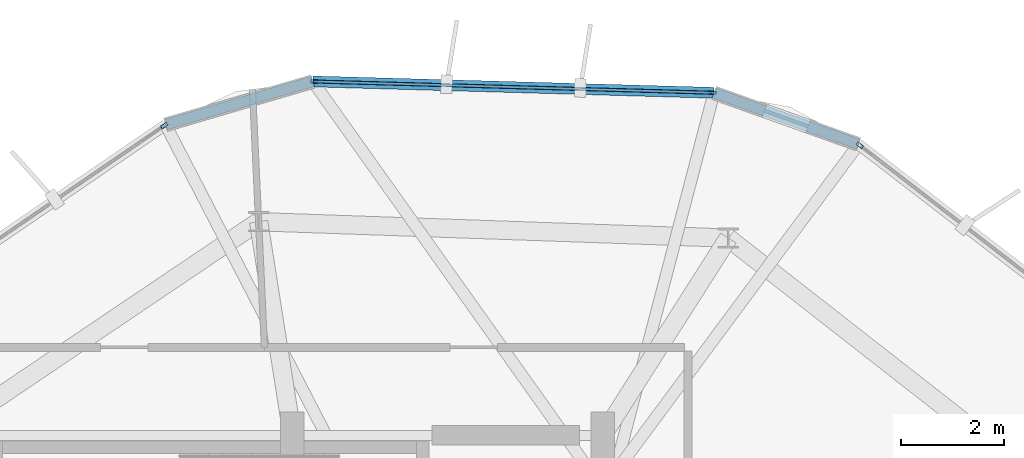
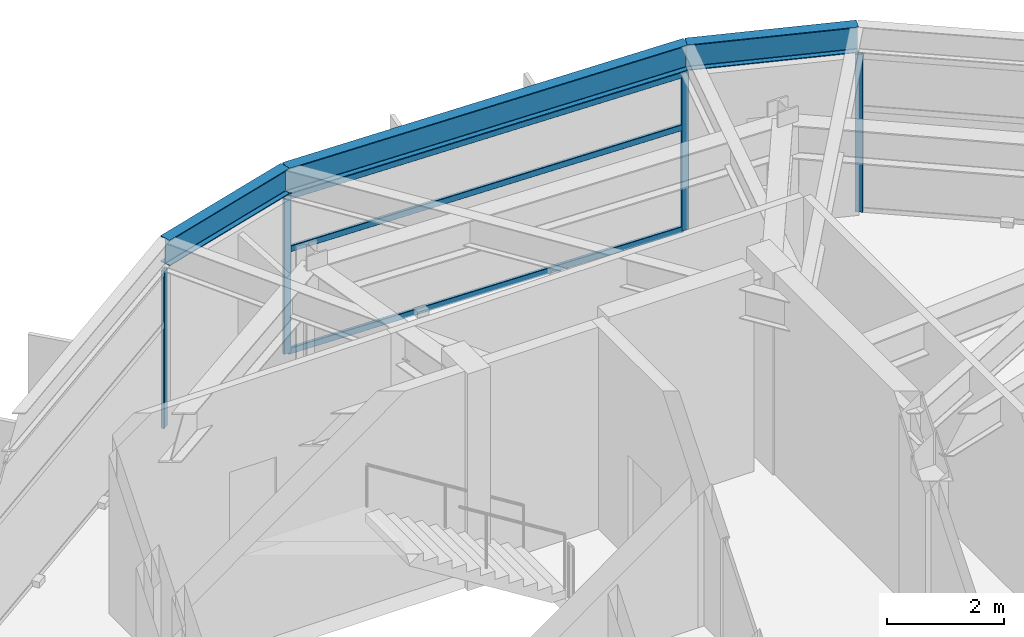
# One storey, part 14 of 20: 7 members, 3 beams, 3 elements without a shape of their own.
"""IFC4 building model written with IfcOpenShell, lengths in metres."""

from ifc_helpers import new_model, si_unit, direction, frame, origin, origin_2d, place, context, subcontext, project, spatial, hollow_rectangle, i_section, extrude, material, layer, layer_set, material_profile, profile_set, type_object, element, aggregate, save


model = new_model("IFC4")

# Units and contexts
model_context = context("Model", 3, precision=1e-05, world=origin(), true_north=direction((0.0, 1.0)))
body_context = subcontext(model_context, "Body", "Model", "MODEL_VIEW")
ifc_project = project(units=[si_unit("LENGTHUNIT", "METRE"), si_unit("AREAUNIT", "SQUARE_METRE"), si_unit("VOLUMEUNIT", "CUBIC_METRE"), si_unit("PLANEANGLEUNIT", "RADIAN"), si_unit("MASSUNIT", "GRAM", prefix="KILO")], contexts=[model_context])

# Site, building, storey
site_placement = place(None, origin())
site = spatial("IfcSite", under=ifc_project, at=site_placement, CompositionType="ELEMENT")
building_placement = place(site_placement, origin())
building = spatial("IfcBuilding", under=site, at=building_placement, Name="Soratama Intermodal Tower", CompositionType="ELEMENT")
storey_placement = place(building_placement, frame((0.0, 0.0, 293.050048828125)))
storey = spatial("IfcBuildingStorey", under=building, at=storey_placement, Name="L74", CompositionType="ELEMENT", Elevation=293.050048828125)

# Beams
ifc_material_1 = material(Name="Structural steel ASTM A992 Grade 50", Category="steel")
ifc_material_profile_1 = material_profile(ifc_material_1, i_section(OverallWidth=0.2099609375, OverallDepth=0.537109375, WebThickness=0.010986328125, FlangeThickness=0.017333984375, FilletRadius=0.012939453125, at=origin_2d()), Name="W21X68")
ifc_profile_set_1 = profile_set([ifc_material_profile_1], Name="Structural steel ASTM A992 Grade 50")
beam_type = type_object("IfcBeamType", Name="BM-SPN-W21X68", PredefinedType="SPANDREL", material=ifc_profile_set_1)
beam_1_placement = place(storey_placement, frame((46.7509765625, 41.6220703125, 3.62646484375), z_axis=(-0.999597943365, 0.028354040643, 0.0), x_axis=(-0.028354040643, -0.999597943365, 0.0)))
element("IfcBeam", 1, at=beam_1_placement, inside=storey, type_object=beam_type, Name="BS-L74-F01", PredefinedType="SPANDREL", context=body_context, shape_type="SweptSolid", body=[
    extrude(i_section(OverallWidth=0.2099609375, OverallDepth=0.537109375, WebThickness=0.010986328125, FlangeThickness=0.017333984375, FilletRadius=0.012939453125, at=origin_2d()), origin(), (0.0, 0.0, 1.0), 7.758056640625),
])
beam_2_placement = place(storey_placement, frame((38.99609375, 41.842041015625, 3.62646484375), z_axis=(-0.959361570326, -0.282179689882, 0.0), x_axis=(0.282179689882, -0.959361570326, 0.0)))
element("IfcBeam", 2, at=beam_2_placement, inside=storey, type_object=beam_type, Name="BS-L74-CRN01", PredefinedType="SPANDREL", context=body_context, shape_type="SweptSolid", body=[
    extrude(i_section(OverallWidth=0.2099609375, OverallDepth=0.537109375, WebThickness=0.010986328125, FlangeThickness=0.017333984375, FilletRadius=0.012939453125, at=origin_2d()), origin(), (0.0, 0.0, 1.0), 2.966796875),
])
beam_3_placement = place(storey_placement, frame((49.544921875, 40.6259765625, 3.62646484375), z_axis=(-0.941927983506, 0.335814939943, 0.0), x_axis=(-0.335814939943, -0.941927983506, 0.0)))
element("IfcBeam", 3, at=beam_3_placement, inside=storey, type_object=beam_type, Name="BS-L74-CRN10", PredefinedType="SPANDREL", context=body_context, shape_type="SweptSolid", body=[
    extrude(i_section(OverallWidth=0.2099609375, OverallDepth=0.537109375, WebThickness=0.010986328125, FlangeThickness=0.017333984375, FilletRadius=0.012939453125, at=origin_2d()), origin(), (0.0, 0.0, 1.0), 2.96630859375),
])

# Curtain wall, members
ifc_material_2 = material(Name="Double-glazed aluminium curtain wall", Category="aluminium")
ifc_layer = layer(ifc_material_2, 0.159912109375)
ifc_layer_set = layer_set([ifc_layer], Name="Double-glazed aluminium curtain wall")
curtain_wall_type = type_object("IfcCurtainWallType", Name="CW-SYS-6", PredefinedType="NOTDEFINED", material=ifc_layer_set)
curtain_wall_1_placement = place(storey_placement, origin())
curtain_wall_1 = element("IfcCurtainWall", 4, at=curtain_wall_1_placement, inside=storey, type_object=curtain_wall_type, Name="L74 Faceted Curtain Wall F01", PredefinedType="NOTDEFINED")
ifc_material_3 = material(Name="Anodised aluminium AA 6063-T6", Category="aluminium")
ifc_material_profile_2 = material_profile(ifc_material_3, hollow_rectangle(XDim=0.06494140625, YDim=0.139892578125, WallThickness=0.0048828125, InnerFilletRadius=0.0048828125, OuterFilletRadius=0.010009765625, at=origin_2d()), Name="CWM140X65X5")
ifc_profile_set_2 = profile_set([ifc_material_profile_2], Name="Anodised aluminium AA 6063-T6")
member_type_1 = type_object("IfcMemberType", Name="MT-CWM-6", PredefinedType="MULLION", material=ifc_profile_set_2)
member_1_placement = place(storey_placement, frame((46.720703125, 41.623046875, 0.0), z_axis=(0.0, 0.0, 1.0), x_axis=(-0.028280109381, -0.999600037722, 0.0)))
member_1 = element("IfcMember", 5, at=member_1_placement, type_object=member_type_1, Name="CW-6 mullion 1", PredefinedType="MULLION", context=body_context, shape_type="SweptSolid", body=[
    extrude(hollow_rectangle(XDim=0.06494140625, YDim=0.139892578125, WallThickness=0.0048828125, InnerFilletRadius=0.0048828125, OuterFilletRadius=0.010009765625, at=origin_2d()), origin(), (0.0, 0.0, 1.0), 3.27392578125),
])
member_2_placement = place(storey_placement, frame((39.025634765625, 41.8408203125, 0.0), z_axis=(0.0, 0.0, 1.0), x_axis=(-0.028280109381, -0.999600037722, 0.0)))
member_2 = element("IfcMember", 6, at=member_2_placement, type_object=member_type_1, Name="CW-6 mullion 2", PredefinedType="MULLION", context=body_context, shape_type="SweptSolid", body=[
    extrude(hollow_rectangle(XDim=0.06494140625, YDim=0.139892578125, WallThickness=0.0048828125, InnerFilletRadius=0.0048828125, OuterFilletRadius=0.010009765625, at=origin_2d()), origin(), (0.0, 0.0, 1.0), 3.27392578125),
])

# Curtain wall, member
curtain_wall_2_placement = place(storey_placement, origin())
curtain_wall_2 = element("IfcCurtainWall", 7, at=curtain_wall_2_placement, inside=storey, type_object=curtain_wall_type, Name="L74 Faceted Curtain Wall F02", PredefinedType="NOTDEFINED")
member_3_placement = place(storey_placement, frame((36.124755859375, 40.988037109375, 0.0), z_axis=(0.0, 0.0, 1.0), x_axis=(0.564681143103, -0.825309158209, 0.0)))
member_3 = element("IfcMember", 8, at=member_3_placement, type_object=member_type_1, Name="CW-6 mullion 1", PredefinedType="MULLION", context=body_context, shape_type="SweptSolid", body=[
    extrude(hollow_rectangle(XDim=0.06494140625, YDim=0.139892578125, WallThickness=0.0048828125, InnerFilletRadius=0.0048828125, OuterFilletRadius=0.010009765625, at=origin_2d()), origin(), (0.0, 0.0, 1.0), 3.27392578125),
])
aggregate(curtain_wall_2, [member_3])

curtain_wall_3_placement = place(storey_placement, origin())
curtain_wall_3 = element("IfcCurtainWall", 9, at=curtain_wall_3_placement, inside=storey, type_object=curtain_wall_type, Name="L74 Faceted Curtain Wall F10", PredefinedType="NOTDEFINED")
member_4_placement = place(storey_placement, frame((49.56884765625, 40.607666015625, 0.0), z_axis=(0.0, 0.0, 1.0), x_axis=(-0.61042127444, -0.79207693295, 0.0)))
member_4 = element("IfcMember", 10, at=member_4_placement, type_object=member_type_1, Name="CW-6 mullion 2", PredefinedType="MULLION", context=body_context, shape_type="SweptSolid", body=[
    extrude(hollow_rectangle(XDim=0.06494140625, YDim=0.139892578125, WallThickness=0.0048828125, InnerFilletRadius=0.0048828125, OuterFilletRadius=0.010009765625, at=origin_2d()), origin(), (0.0, 0.0, 1.0), 3.27392578125),
])
aggregate(curtain_wall_3, [member_4])

# Member
ifc_material_4 = material(Name="Anodised aluminium AA 6063-T6", Category="aluminium")
ifc_material_profile_3 = material_profile(ifc_material_4, hollow_rectangle(XDim=0.06005859375, YDim=0.1298828125, WallThickness=0.0048828125, InnerFilletRadius=0.0048828125, OuterFilletRadius=0.010009765625, at=origin_2d()), Name="CWT130X60X5")
ifc_profile_set_3 = profile_set([ifc_material_profile_3], Name="Anodised aluminium AA 6063-T6")
member_type_2 = type_object("IfcMemberType", Name="TT-CWT-2", PredefinedType="USERDEFINED", material=ifc_profile_set_3)
member_5_placement = place(storey_placement, frame((46.690673828125, 41.623779296875, 0.030029296875), z_axis=(-0.999599818783, 0.028287847013, 0.0), x_axis=(-0.028287847013, -0.999599818783, 0.0)))
member_5 = element("IfcMember", 11, at=member_5_placement, type_object=member_type_2, Name="CW-6 transom 1.1", ObjectType="TRANSOM", PredefinedType="USERDEFINED", context=body_context, shape_type="SweptSolid", body=[
    extrude(hollow_rectangle(XDim=0.06005859375, YDim=0.1298828125, WallThickness=0.0048828125, InnerFilletRadius=0.0048828125, OuterFilletRadius=0.010009765625, at=origin_2d()), origin(), (0.0, 0.0, 1.0), 7.63818359375),
])

member_6_placement = place(storey_placement, frame((46.690673828125, 41.623779296875, 2.14990234375), z_axis=(-0.999599818783, 0.028287847013, 0.0), x_axis=(-0.028287847013, -0.999599818783, 0.0)))
member_6 = element("IfcMember", 12, at=member_6_placement, type_object=member_type_2, Name="CW-6 transom 1.2", ObjectType="TRANSOM", PredefinedType="USERDEFINED", context=body_context, shape_type="SweptSolid", body=[
    extrude(hollow_rectangle(XDim=0.06005859375, YDim=0.1298828125, WallThickness=0.0048828125, InnerFilletRadius=0.0048828125, OuterFilletRadius=0.010009765625, at=origin_2d()), origin(), (0.0, 0.0, 1.0), 7.63818359375),
])

member_7_placement = place(storey_placement, frame((46.690673828125, 41.623779296875, 3.243896484375), z_axis=(-0.999599818783, 0.028287847013, 0.0), x_axis=(-0.028287847013, -0.999599818783, 0.0)))
member_7 = element("IfcMember", 13, at=member_7_placement, type_object=member_type_2, Name="CW-6 transom 1.3", ObjectType="TRANSOM", PredefinedType="USERDEFINED", context=body_context, shape_type="SweptSolid", body=[
    extrude(hollow_rectangle(XDim=0.06005859375, YDim=0.1298828125, WallThickness=0.0048828125, InnerFilletRadius=0.0048828125, OuterFilletRadius=0.010009765625, at=origin_2d()), origin(), (0.0, 0.0, 1.0), 7.63818359375),
])

aggregate(curtain_wall_1, [member_1, member_2, member_5, member_6, member_7])

save(model, "model.ifc")
